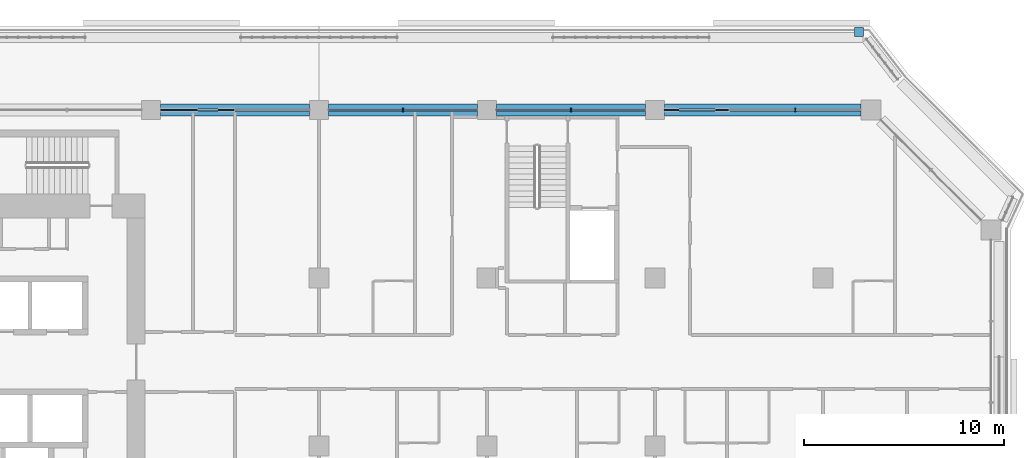
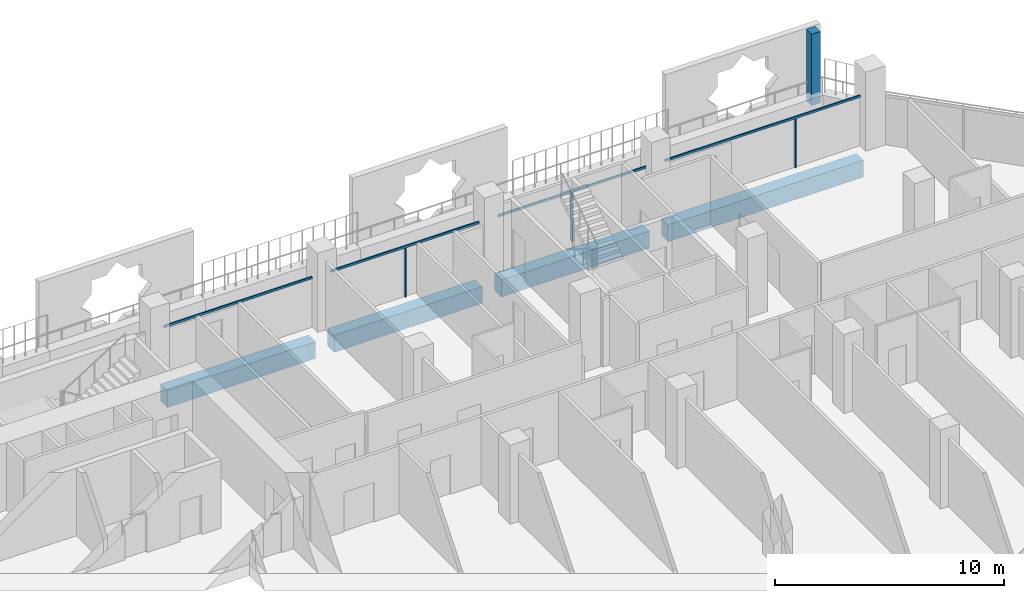
# One storey, part 6 of 21: 8 members, 4 beams, 2 elements without a shape of their own.
"""IFC4 building model written with IfcOpenShell, lengths in metres."""

from ifc_helpers import new_model, si_unit, direction, frame, origin, origin_2d, place, context, subcontext, project, spatial, rectangle, extrude, material, layer, layer_set, material_profile, profile_set, type_object, element, aggregate, save


model = new_model("IFC4")

# Units and contexts
model_context = context("Model", 3, precision=1e-05, world=origin(), true_north=direction((0.0, 1.0)))
body_context = subcontext(model_context, "Body", "Model", "MODEL_VIEW")
ifc_project = project(units=[si_unit("LENGTHUNIT", "METRE"), si_unit("AREAUNIT", "SQUARE_METRE"), si_unit("VOLUMEUNIT", "CUBIC_METRE"), si_unit("PLANEANGLEUNIT", "RADIAN"), si_unit("MASSUNIT", "GRAM", prefix="KILO")], contexts=[model_context])

# Site, building, storey
site_placement = place(None, origin())
site = spatial("IfcSite", under=ifc_project, at=site_placement, CompositionType="ELEMENT")
building_placement = place(site_placement, origin())
building = spatial("IfcBuilding", under=site, at=building_placement, Name="Kawkab Arch Medical Tower", CompositionType="ELEMENT")
storey_placement = place(building_placement, frame((0.0, 0.0, 192.0)))
storey = spatial("IfcBuildingStorey", under=building, at=storey_placement, Name="L44", CompositionType="ELEMENT", Elevation=192.0)

# Curtain wall, members
ifc_material_1 = material(Name="Bronze anodised aluminium curtain wall frame", Category="aluminium")
ifc_layer_1 = layer(ifc_material_1, 0.159912109375)
ifc_layer_set_1 = layer_set([ifc_layer_1], Name="Bronze anodised aluminium curtain wall frame")
curtain_wall_type_1 = type_object("IfcCurtainWallType", Name="CW1 ward curtain wall", PredefinedType="NOTDEFINED", material=ifc_layer_set_1)
placement = place(storey_placement, origin())
curtain_wall_1 = element("IfcCurtainWall", 1, at=placement, inside=storey, type_object=curtain_wall_type_1, Name="CW1 Ward curtain wall R11", PredefinedType="NOTDEFINED")
ifc_material_2 = material(Name="Bronze anodised aluminium curtain wall frame", Category="aluminium")
ifc_material_profile_1 = material_profile(ifc_material_2, rectangle(XDim=0.179931640625, YDim=0.06005859375, at=origin_2d()), Name="AL 60x180")
ifc_profile_set_1 = profile_set([ifc_material_profile_1], Name="Bronze anodised aluminium curtain wall frame")
member_type_1 = type_object("IfcMemberType", Name="CW1 mullion 60 x 180", PredefinedType="MULLION", material=ifc_profile_set_1)
member_1_placement = place(storey_placement, frame((57.425048828125, 0.0, 0.0), z_axis=(0.0, 0.0, 1.0), x_axis=(0.0, -1.0, 0.0)))
member_1 = element("IfcMember", 2, at=member_1_placement, type_object=member_type_1, Name="CW1 mullion 1.1", PredefinedType="MULLION", context=body_context, shape_type="SweptSolid", body=[
    extrude(rectangle(XDim=0.179931640625, YDim=0.06005859375, at=origin_2d()), origin(), (0.0, 0.0, 1.0), 2.580078125),
])
member_2_placement = place(storey_placement, frame((46.199951171875, 0.0, 0.0), z_axis=(0.0, 0.0, 1.0), x_axis=(0.0, -1.0, 0.0)))
member_2 = element("IfcMember", 3, at=member_2_placement, type_object=member_type_1, Name="CW1 mullion 2.1", PredefinedType="MULLION", context=body_context, shape_type="SweptSolid", body=[
    extrude(rectangle(XDim=0.179931640625, YDim=0.06005859375, at=origin_2d()), origin(), (0.0, 0.0, 1.0), 2.580078125),
])
member_3_placement = place(storey_placement, frame((37.800048828125, 0.0, 0.0), z_axis=(0.0, 0.0, 1.0), x_axis=(0.0, -1.0, 0.0)))
member_3 = element("IfcMember", 4, at=member_3_placement, type_object=member_type_1, Name="CW1 mullion 3.1", PredefinedType="MULLION", context=body_context, shape_type="SweptSolid", body=[
    extrude(rectangle(XDim=0.179931640625, YDim=0.06005859375, at=origin_2d()), origin(), (0.0, 0.0, 1.0), 2.580078125),
])
ifc_material_3 = material(Name="Bronze anodised aluminium curtain wall frame", Category="aluminium")
ifc_material_profile_2 = material_profile(ifc_material_3, rectangle(XDim=0.06005859375, YDim=0.1201171875, at=origin_2d()), Name="AL 60x120")
ifc_profile_set_2 = profile_set([ifc_material_profile_2], Name="Bronze anodised aluminium curtain wall frame")
member_type_2 = type_object("IfcMemberType", Name="CW1 transom 120 x 60", PredefinedType="USERDEFINED", material=ifc_profile_set_2)
member_4_placement = place(storey_placement, frame((60.699951171875, 0.0, 2.639892578125), z_axis=(-1.0, 0.0, 0.0), x_axis=(0.0, -1.0, 0.0)))
member_4 = element("IfcMember", 5, at=member_4_placement, type_object=member_type_2, Name="CW1 transom 1", ObjectType="TRANSOM", PredefinedType="USERDEFINED", context=body_context, shape_type="SweptSolid", body=[
    extrude(rectangle(XDim=0.06005859375, YDim=0.1201171875, at=origin_2d()), origin(), (0.0, 0.0, 1.0), 9.824951171875),
])
member_5_placement = place(storey_placement, frame((49.925048828125, 0.0, 2.639892578125), z_axis=(-1.0, 0.0, 0.0), x_axis=(0.0, -1.0, 0.0)))
member_5 = element("IfcMember", 6, at=member_5_placement, type_object=member_type_2, Name="CW1 transom 2", ObjectType="TRANSOM", PredefinedType="USERDEFINED", context=body_context, shape_type="SweptSolid", body=[
    extrude(rectangle(XDim=0.06005859375, YDim=0.1201171875, at=origin_2d()), origin(), (0.0, 0.0, 1.0), 7.449951171875),
])
member_6_placement = place(storey_placement, frame((41.52490234375, 0.0, 2.639892578125), z_axis=(-1.0, 0.0, 0.0), x_axis=(0.0, -1.0, 0.0)))
member_6 = element("IfcMember", 7, at=member_6_placement, type_object=member_type_2, Name="CW1 transom 3", ObjectType="TRANSOM", PredefinedType="USERDEFINED", context=body_context, shape_type="SweptSolid", body=[
    extrude(rectangle(XDim=0.06005859375, YDim=0.1201171875, at=origin_2d()), origin(), (0.0, 0.0, 1.0), 7.449951171875),
])
member_7_placement = place(storey_placement, frame((33.125, 0.0, 2.639892578125), z_axis=(-1.0, 0.0, 0.0), x_axis=(0.0, -1.0, 0.0)))
member_7 = element("IfcMember", 8, at=member_7_placement, type_object=member_type_2, Name="CW1 transom 4", ObjectType="TRANSOM", PredefinedType="USERDEFINED", context=body_context, shape_type="SweptSolid", body=[
    extrude(rectangle(XDim=0.06005859375, YDim=0.1201171875, at=origin_2d()), origin(), (0.0, 0.0, 1.0), 7.449951171875),
])
aggregate(curtain_wall_1, [member_4, member_1, member_5, member_2, member_6, member_3, member_7])

# Curtain wall, member
ifc_material_4 = material(Name="Bronze anodised aluminium climber frame, planted", Category="aluminium")
ifc_layer_2 = layer(ifc_material_4, 0.449951171875)
ifc_layer_set_2 = layer_set([ifc_layer_2], Name="Bronze anodised aluminium climber frame, planted")
curtain_wall_type_2 = type_object("IfcCurtainWallType", Name="Planted climber frame", PredefinedType="NOTDEFINED", material=ifc_layer_set_2)
curtain_wall_2 = element("IfcCurtainWall", 9, at=placement, inside=storey, type_object=curtain_wall_type_2, Name="Planted climber frame L44", PredefinedType="NOTDEFINED")
ifc_material_5 = material(Name="Bronze anodised aluminium climber frame, planted", Category="aluminium")
ifc_material_profile_3 = material_profile(ifc_material_5, rectangle(XDim=0.449951171875, YDim=0.449951171875, at=origin_2d()), Name="Post 450x450")
ifc_profile_set_3 = profile_set([ifc_material_profile_3], Name="Bronze anodised aluminium climber frame, planted")
member_type_3 = type_object("IfcMemberType", Name="Planted climber post 450 x 450", PredefinedType="MULLION", material=ifc_profile_set_3)
member_8_placement = place(storey_placement, frame((60.60302734375, 3.89990234375, 0.0), z_axis=(0.0, 0.0, 1.0), x_axis=(1.0, 0.0, 0.0)))
member_8 = element("IfcMember", 10, at=member_8_placement, type_object=member_type_3, Name="Planted climber post L44.LOG-01-01.2", PredefinedType="MULLION", context=body_context, shape_type="SweptSolid", body=[
    extrude(rectangle(XDim=0.449951171875, YDim=0.449951171875, at=origin_2d()), origin(), (0.0, 0.0, 1.0), 3.800048828125),
])
aggregate(curtain_wall_2, [member_8])

# Beams
ifc_material_6 = material(Name="Concrete C50/60", Category="concrete")
ifc_material_profile_4 = material_profile(ifc_material_6, rectangle(XDim=0.60009765625, YDim=0.89990234375, at=origin_2d()), Name="RC 600x900")
ifc_profile_set_4 = profile_set([ifc_material_profile_4], Name="Concrete C50/60")
beam_type = type_object("IfcBeamType", Name="RC 600x900 beam C50/60", PredefinedType="BEAM", material=ifc_profile_set_4)
for number, where, z_axis, x_axis, name in (
    (11, (25.675048828125, 0.0, -1.050048828125), (1.0, 0.0, 0.0), (0.0, 1.0, 0.0), "Overhang edge beam L44-04"),
    (12, (34.074951171875, 0.0, -1.050048828125), (1.0, 0.0, 0.0), (0.0, 1.0, 0.0), "Overhang edge beam L44-05"),
    (13, (42.47509765625, 0.0, -1.050048828125), (1.0, 0.0, 0.0), (0.0, 1.0, 0.0), "Overhang edge beam L44-06"),
):
    element("IfcBeam", number, at=place(storey_placement, frame(where, z_axis=z_axis, x_axis=x_axis)), inside=storey, type_object=beam_type, Name=name, PredefinedType="BEAM", context=body_context, shape_type="SweptSolid", body=[
        extrude(rectangle(XDim=0.60009765625, YDim=0.89990234375, at=origin_2d()), origin(), (0.0, 0.0, 1.0), 7.449951171875),
    ])
beam_placement = place(storey_placement, frame((50.875, 0.0, -1.050048828125), z_axis=(1.0, 0.0, 0.0), x_axis=(0.0, 1.0, 0.0)))
element("IfcBeam", 14, at=beam_placement, inside=storey, type_object=beam_type, Name="Overhang edge beam L44-07", PredefinedType="BEAM", context=body_context, shape_type="SweptSolid", body=[
    extrude(rectangle(XDim=0.60009765625, YDim=0.89990234375, at=origin_2d()), origin(), (0.0, 0.0, 1.0), 9.824951171875),
])

save(model, "model.ifc")
